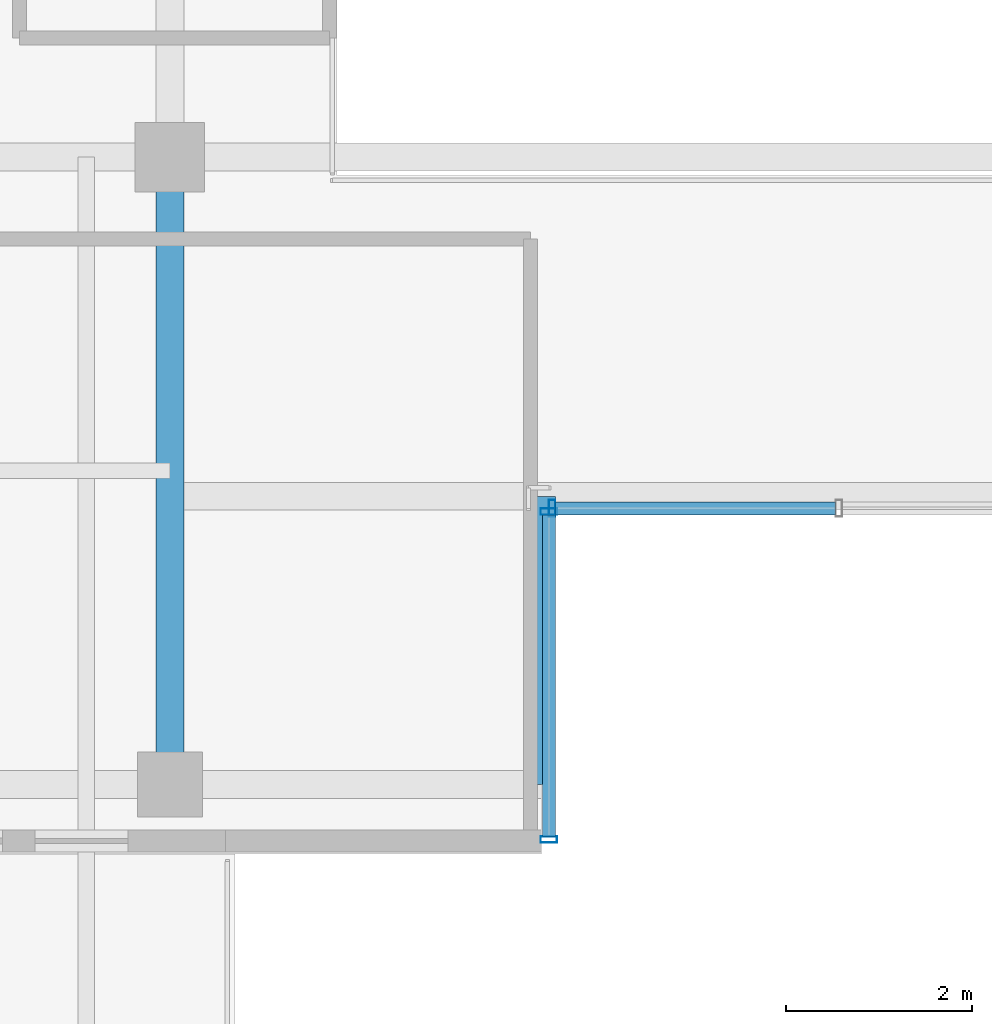
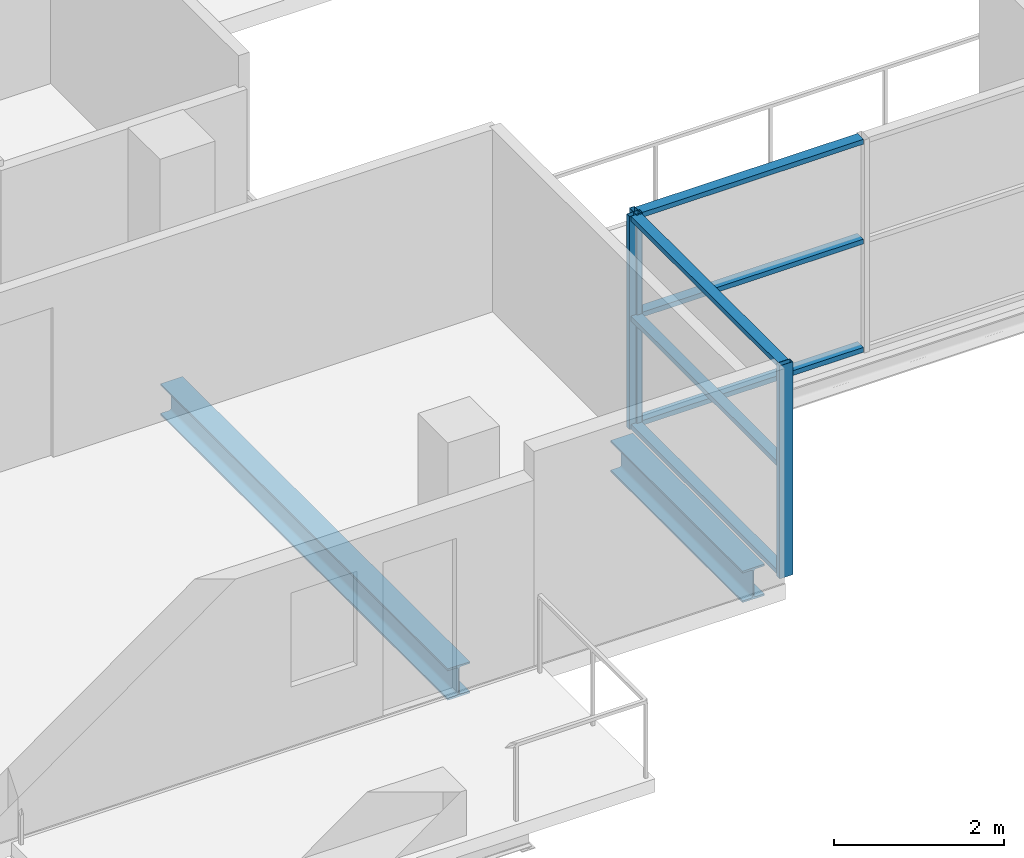
# One storey, part 6 of 23: 9 members, 2 beams, 2 elements without a shape of their own.
"""IFC4 building model written with IfcOpenShell, lengths in metres."""

from ifc_helpers import new_model, si_unit, direction, frame, origin, origin_2d, place, context, subcontext, project, spatial, hollow_rectangle, i_section, extrude, source, transform, mapped, material, layer, layer_set, material_profile, profile_set, type_object, element, aggregate, save


model = new_model("IFC4")

# Units and contexts
model_context = context("Model", 3, precision=1e-05, world=origin(), true_north=direction((0.0, 1.0)))
body_context = subcontext(model_context, "Body", "Model", "MODEL_VIEW")
ifc_project = project(units=[si_unit("LENGTHUNIT", "METRE"), si_unit("AREAUNIT", "SQUARE_METRE"), si_unit("VOLUMEUNIT", "CUBIC_METRE"), si_unit("PLANEANGLEUNIT", "RADIAN"), si_unit("MASSUNIT", "GRAM", prefix="KILO")], contexts=[model_context])

# Site, building, storey
site_placement = place(None, origin())
site = spatial("IfcSite", under=ifc_project, at=site_placement, CompositionType="ELEMENT")
building_placement = place(site_placement, origin())
building = spatial("IfcBuilding", under=site, at=building_placement, Name="Zarnakvel Exchange Tower", CompositionType="ELEMENT")
storey_placement = place(building_placement, frame((0.0, 0.0, 218.800048828125)))
storey = spatial("IfcBuildingStorey", under=building, at=storey_placement, Name="L61", CompositionType="ELEMENT", Elevation=218.800048828125)

# Beams
ifc_material_1 = material(Name="Steel S355", Category="steel")
ifc_material_profile_1 = material_profile(ifc_material_1, i_section(OverallWidth=0.300048828125, OverallDepth=0.449951171875, WebThickness=0.013916015625, FlangeThickness=0.02587890625, FilletRadius=0.027099609375, at=origin_2d()))
ifc_profile_set_1 = profile_set([ifc_material_profile_1], Name="Steel S355")
beam_type = type_object("IfcBeamType", Name="G-07", PredefinedType="BEAM", material=ifc_profile_set_1)
beam_1_placement = place(storey_placement, frame((-3.199951171875, -16.35009765625, -0.449951171875), z_axis=(0.0, 1.0, 0.0), x_axis=(-1.0, 0.0, 0.0)))
element("IfcBeam", 1, at=beam_1_placement, inside=storey, type_object=beam_type, Name="L61 South Slot West Cheek Beam", PredefinedType="BEAM", context=body_context, shape_type="SweptSolid", body=[
    extrude(i_section(OverallWidth=0.300048828125, OverallDepth=0.449951171875, WebThickness=0.013916015625, FlangeThickness=0.02587890625, FilletRadius=0.027099609375, at=origin_2d()), origin(), (0.0, 0.0, 1.0), 3.10009765625),
])
beam_2_placement = place(storey_placement, frame((-7.199951171875, -16.35009765625, -0.449951171875), z_axis=(0.0, 1.0, 0.0), x_axis=(-1.0, 0.0, 0.0)))
element("IfcBeam", 2, at=beam_2_placement, inside=storey, type_object=beam_type, Name="L61 Tower N-S Frame Beam", PredefinedType="BEAM", context=body_context, shape_type="SweptSolid", body=[
    extrude(i_section(OverallWidth=0.300048828125, OverallDepth=0.449951171875, WebThickness=0.013916015625, FlangeThickness=0.02587890625, FilletRadius=0.027099609375, at=origin_2d()), origin(), (0.0, 0.0, 1.0), 6.75),
])

# Curtain wall, members
ifc_material_2 = material(Name="Architectural Bronze Anodised Aluminium", Category="aluminium")
ifc_layer = layer(ifc_material_2, 0.179931640625)
ifc_layer_set = layer_set([ifc_layer], Name="Architectural Bronze Anodised Aluminium")
curtain_wall_type = type_object("IfcCurtainWallType", Name="CW-05", PredefinedType="NOTDEFINED", material=ifc_layer_set)
curtain_wall_1_placement = place(storey_placement, origin())
curtain_wall_1 = element("IfcCurtainWall", 3, at=curtain_wall_1_placement, inside=storey, type_object=curtain_wall_type, Name="L61 Curtain Wall CW-L61-SLW (CW-05)", PredefinedType="NOTDEFINED")
ifc_material_profile_2 = material_profile(ifc_material_2, hollow_rectangle(XDim=0.139892578125, YDim=0.070068359375, WallThickness=0.00390625, at=origin_2d()))
ifc_profile_set_2 = profile_set([ifc_material_profile_2], Name="Architectural Bronze Anodised Aluminium")
member_type_1 = type_object("IfcMemberType", Name="CWT-05", PredefinedType="USERDEFINED", material=ifc_profile_set_2)
shared_shape_1 = source(origin(), body_context, "Body", "SweptSolid", [
    extrude(hollow_rectangle(XDim=0.139892578125, YDim=0.070068359375, WallThickness=0.00390625, at=origin_2d()), origin(), (0.0, 0.0, 1.0), 3.4599609375),
])
member_1_placement = place(storey_placement, frame((-3.1201171875, -16.909912109375, 0.034912109375), z_axis=(0.0, 1.0, 0.0), x_axis=(-1.0, 0.0, 0.0)))
member_1 = element("IfcMember", 4, at=member_1_placement, type_object=member_type_1, Name="CW-05 transom 1.1", ObjectType="TRANSOM", PredefinedType="USERDEFINED", context=body_context, shape_type="MappedRepresentation", body=[
    mapped(shared_shape_1, transform((0.0, 0.0, 0.0), x_axis=(1.0, 0.0, 0.0), y_axis=(0.0, 1.0, 0.0), z_axis=(0.0, 0.0, 1.0), scale=1.0)),
])
member_2_placement = place(storey_placement, frame((-3.1201171875, -16.909912109375, 1.588623046875), z_axis=(0.0, 1.0, 0.0), x_axis=(-1.0, 0.0, 0.0)))
member_2 = element("IfcMember", 5, at=member_2_placement, type_object=member_type_1, Name="CW-05 transom 1.2", ObjectType="TRANSOM", PredefinedType="USERDEFINED", context=body_context, shape_type="MappedRepresentation", body=[
    mapped(shared_shape_1, transform((0.0, 0.0, 0.0), x_axis=(1.0, 0.0, 0.0), y_axis=(0.0, 1.0, 0.0), z_axis=(0.0, 0.0, 1.0), scale=1.0)),
])
member_3_placement = place(storey_placement, frame((-3.1201171875, -16.909912109375, 3.02001953125), z_axis=(0.0, 1.0, 0.0), x_axis=(-1.0, 0.0, 0.0)))
member_3 = element("IfcMember", 6, at=member_3_placement, type_object=member_type_1, Name="CW-05 transom 1.3", ObjectType="TRANSOM", PredefinedType="USERDEFINED", context=body_context, shape_type="MappedRepresentation", body=[
    mapped(shared_shape_1, transform((0.0, 0.0, 0.0), x_axis=(1.0, 0.0, 0.0), y_axis=(0.0, 1.0, 0.0), z_axis=(0.0, 0.0, 1.0), scale=1.0)),
])

curtain_wall_2_placement = place(storey_placement, origin())
curtain_wall_2 = element("IfcCurtainWall", 7, at=curtain_wall_2_placement, inside=storey, type_object=curtain_wall_type, Name="L61 Curtain Wall CW-L61-SLB (CW-05)", PredefinedType="NOTDEFINED")
shared_shape_2 = source(origin(), body_context, "Body", "SweptSolid", [
    extrude(hollow_rectangle(XDim=0.139892578125, YDim=0.070068359375, WallThickness=0.00390625, at=origin_2d()), origin(), (0.0, 0.0, 1.0), 3.01513671875),
])
member_4_placement = place(storey_placement, frame((-3.050048828125, -13.3798828125, 0.034912109375), z_axis=(1.0, 0.0, 0.0), x_axis=(0.0, 1.0, 0.0)))
member_4 = element("IfcMember", 8, at=member_4_placement, type_object=member_type_1, Name="CW-05 transom 1.1", ObjectType="TRANSOM", PredefinedType="USERDEFINED", context=body_context, shape_type="MappedRepresentation", body=[
    mapped(shared_shape_2, transform((0.0, 0.0, 0.0), x_axis=(1.0, 0.0, 0.0), y_axis=(0.0, 1.0, 0.0), z_axis=(0.0, 0.0, 1.0), scale=1.0)),
])
member_5_placement = place(storey_placement, frame((-3.050048828125, -13.3798828125, 1.588623046875), z_axis=(1.0, 0.0, 0.0), x_axis=(0.0, 1.0, 0.0)))
member_5 = element("IfcMember", 9, at=member_5_placement, type_object=member_type_1, Name="CW-05 transom 1.2", ObjectType="TRANSOM", PredefinedType="USERDEFINED", context=body_context, shape_type="MappedRepresentation", body=[
    mapped(shared_shape_2, transform((0.0, 0.0, 0.0), x_axis=(1.0, 0.0, 0.0), y_axis=(0.0, 1.0, 0.0), z_axis=(0.0, 0.0, 1.0), scale=1.0)),
])
member_6_placement = place(storey_placement, frame((-3.050048828125, -13.3798828125, 3.02001953125), z_axis=(1.0, 0.0, 0.0), x_axis=(0.0, 1.0, 0.0)))
member_6 = element("IfcMember", 10, at=member_6_placement, type_object=member_type_1, Name="CW-05 transom 1.3", ObjectType="TRANSOM", PredefinedType="USERDEFINED", context=body_context, shape_type="MappedRepresentation", body=[
    mapped(shared_shape_2, transform((0.0, 0.0, 0.0), x_axis=(1.0, 0.0, 0.0), y_axis=(0.0, 1.0, 0.0), z_axis=(0.0, 0.0, 1.0), scale=1.0)),
])

# Member
ifc_material_profile_3 = material_profile(ifc_material_2, hollow_rectangle(XDim=0.179931640625, YDim=0.070068359375, WallThickness=0.00390625, at=origin_2d()))
ifc_profile_set_3 = profile_set([ifc_material_profile_3], Name="Architectural Bronze Anodised Aluminium")
member_type_2 = type_object("IfcMemberType", Name="CWM-05", PredefinedType="MULLION", material=ifc_profile_set_3)
shared_shape_3 = source(origin(), body_context, "Body", "SweptSolid", [
    extrude(hollow_rectangle(XDim=0.179931640625, YDim=0.070068359375, WallThickness=0.00390625, at=origin_2d()), origin(), (0.0, 0.0, 1.0), 3.054931640625),
])
member_7_placement = place(storey_placement, frame((-3.1201171875, -16.945068359375, 0.0), z_axis=(0.0, 0.0, 1.0), x_axis=(-1.0, 0.0, 0.0)))
member_7 = element("IfcMember", 11, at=member_7_placement, type_object=member_type_2, Name="CW-05 mullion 1", PredefinedType="MULLION", context=body_context, shape_type="MappedRepresentation", body=[
    mapped(shared_shape_3, transform((0.0, 0.0, 0.0), x_axis=(1.0, 0.0, 0.0), y_axis=(0.0, 1.0, 0.0), z_axis=(0.0, 0.0, 1.0), scale=1.0)),
])

member_8_placement = place(storey_placement, frame((-3.1201171875, -13.4150390625, 0.0), z_axis=(0.0, 0.0, 1.0), x_axis=(-1.0, 0.0, 0.0)))
member_8 = element("IfcMember", 12, at=member_8_placement, type_object=member_type_2, Name="CW-05 mullion 2", PredefinedType="MULLION", context=body_context, shape_type="MappedRepresentation", body=[
    mapped(shared_shape_3, transform((0.0, 0.0, 0.0), x_axis=(1.0, 0.0, 0.0), y_axis=(0.0, 1.0, 0.0), z_axis=(0.0, 0.0, 1.0), scale=1.0)),
])

aggregate(curtain_wall_1, [member_7, member_8, member_1, member_2, member_3])

member_9_placement = place(storey_placement, frame((-3.0849609375, -13.3798828125, 0.0), z_axis=(0.0, 0.0, 1.0), x_axis=(0.0, 1.0, 0.0)))
member_9 = element("IfcMember", 13, at=member_9_placement, type_object=member_type_2, Name="CW-05 mullion 1", PredefinedType="MULLION", context=body_context, shape_type="MappedRepresentation", body=[
    mapped(shared_shape_3, transform((0.0, 0.0, 0.0), x_axis=(1.0, 0.0, 0.0), y_axis=(0.0, 1.0, 0.0), z_axis=(0.0, 0.0, 1.0), scale=1.0)),
])

aggregate(curtain_wall_2, [member_9, member_4, member_5, member_6])

save(model, "model.ifc")
